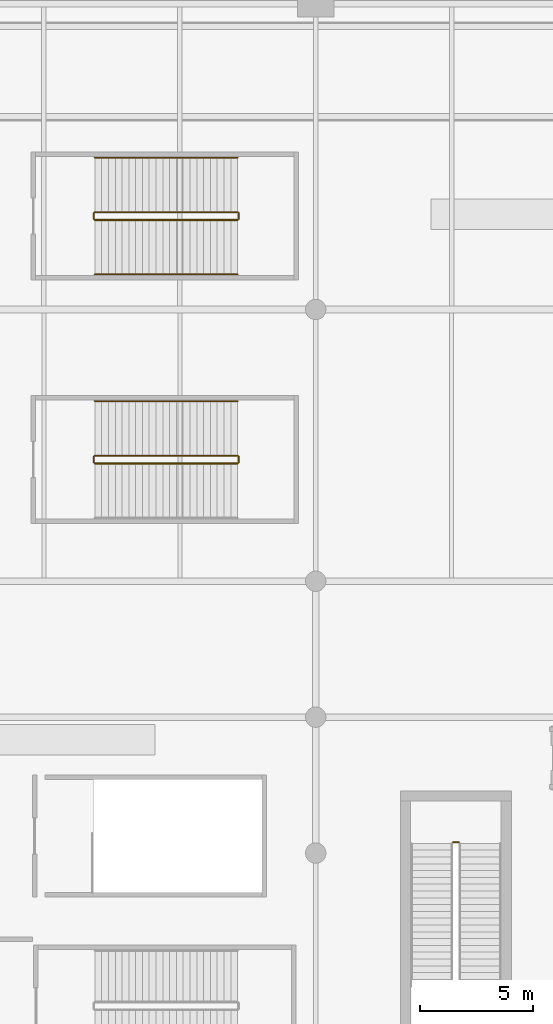
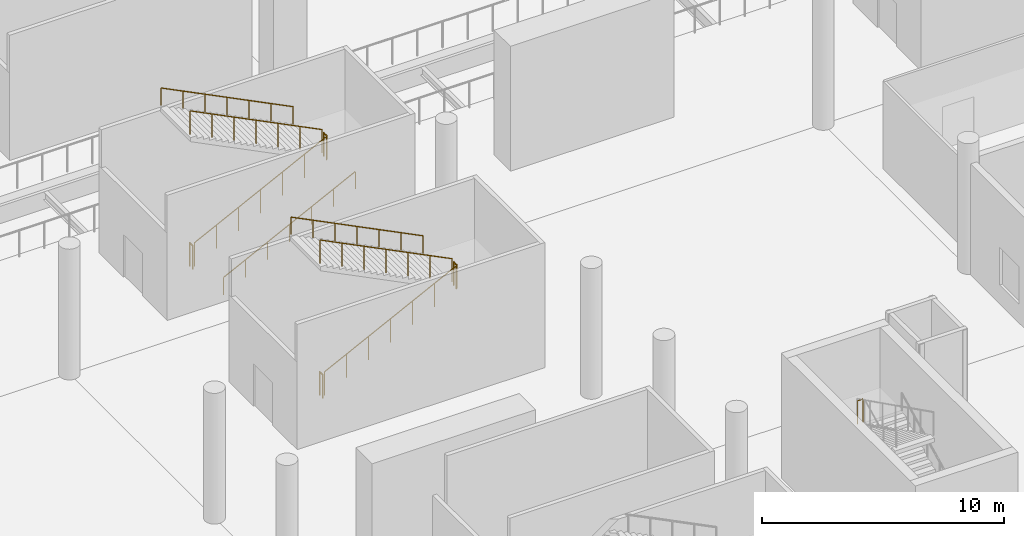
# One storey, part 41 of 65: 12 railings.
"""IFC4 building model written with IfcOpenShell, lengths in metres."""

from ifc_helpers import new_model, si_unit, direction, frame, origin, origin_2d, place, context, subcontext, project, spatial, circle, extrude, material, type_object, element, save


model = new_model("IFC4")

# Units and contexts
model_context = context("Model", 3, precision=1e-05, world=origin(), true_north=direction((0.0, 1.0)))
body_context = subcontext(model_context, "Body", "Model", "MODEL_VIEW")
ifc_project = project(units=[si_unit("LENGTHUNIT", "METRE"), si_unit("AREAUNIT", "SQUARE_METRE"), si_unit("VOLUMEUNIT", "CUBIC_METRE"), si_unit("PLANEANGLEUNIT", "RADIAN"), si_unit("MASSUNIT", "GRAM", prefix="KILO")], contexts=[model_context])

# Site, building, storey
site_placement = place(None, origin())
site = spatial("IfcSite", under=ifc_project, at=site_placement, CompositionType="ELEMENT")
building_placement = place(site_placement, origin())
building = spatial("IfcBuilding", under=site, at=building_placement, Name="Chuanluo Vaults Station", CompositionType="ELEMENT")
storey_placement = place(building_placement, origin())
storey = spatial("IfcBuildingStorey", under=building, at=storey_placement, Name="L00", CompositionType="ELEMENT", Elevation=0.0)

# Railings
ifc_material_1 = material(Name="Tempered laminated balustrade glass", Category="glass")
railing_type_1 = type_object("IfcRailingType", Name="RLG-GUARD-1200", PredefinedType="BALUSTRADE", material=ifc_material_1)
railing_1_placement = place(storey_placement, frame((78.3125, 30.47509765625, 3.300048828125)))
element("IfcRailing", 1, at=railing_1_placement, inside=storey, type_object=railing_type_1, Name="L00 ST-06 stair guard 2", PredefinedType="BALUSTRADE", context=body_context, shape_type="SweptSolid", body=[
    extrude(circle(Radius=0.02392578125, at=origin_2d()), frame((0.0, 0.0, 1.17578125), z_axis=(-1.0, 0.0, 0.0), x_axis=(0.0, -1.0, 0.0)), (0.0, 0.0, 1.0), 0.25),
    extrude(circle(Radius=0.02099609375, at=origin_2d()), origin(), (0.0, 0.0, 1.0), 1.15185546875),
    extrude(circle(Radius=0.02099609375, at=origin_2d()), frame((-0.25, 0.0, 0.0)), (0.0, 0.0, 1.0), 1.15185546875),
])
railing_2_placement = place(storey_placement, frame((62.25, 57.949951171875, 0.14990234375)))
element("IfcRailing", 2, at=railing_2_placement, inside=storey, type_object=railing_type_1, Name="L00 ST-08 stair guard 1", PredefinedType="BALUSTRADE", context=body_context, shape_type="SweptSolid", body=[
    extrude(circle(Radius=0.02392578125, at=origin_2d()), frame((0.0, 0.0, 1.17578125), z_axis=(0.894420258746, 0.0, 0.44722745974), x_axis=(0.0, 1.0, 0.0)), (0.0, 0.0, 1.0), 7.043701171875),
    extrude(circle(Radius=0.02099609375, at=origin_2d()), origin(), (0.0, 0.0, 1.0), 1.15185546875),
    extrude(circle(Radius=0.02099609375, at=origin_2d()), frame((1.050048828125, 0.0, 0.52490234375)), (0.0, 0.0, 1.0), 1.15185546875),
    extrude(circle(Radius=0.02099609375, at=origin_2d()), frame((2.10009765625, 0.0, 1.050048828125)), (0.0, 0.0, 1.0), 1.15185546875),
    extrude(circle(Radius=0.02099609375, at=origin_2d()), frame((3.14990234375, 0.0, 1.5751953125)), (0.0, 0.0, 1.0), 1.15185546875),
    extrude(circle(Radius=0.02099609375, at=origin_2d()), frame((4.199951171875, 0.0, 2.10009765625)), (0.0, 0.0, 1.0), 1.15185546875),
    extrude(circle(Radius=0.02099609375, at=origin_2d()), frame((5.25, 0.0, 2.625)), (0.0, 0.0, 1.0), 1.15185546875),
    extrude(circle(Radius=0.02099609375, at=origin_2d()), frame((6.300048828125, 0.0, 3.150146484375)), (0.0, 0.0, 1.0), 1.15185546875),
])
railing_3_placement = place(storey_placement, frame((68.60009765625, 58.0, 3.300048828125)))
element("IfcRailing", 3, at=railing_3_placement, inside=storey, type_object=railing_type_1, Name="L00 ST-08 stair guard 2", PredefinedType="BALUSTRADE", context=body_context, shape_type="SweptSolid", body=[
    extrude(circle(Radius=0.02392578125, at=origin_2d()), frame((0.0, 0.0, 1.17578125), z_axis=(0.0, 1.0, 0.0), x_axis=(-1.0, 0.0, 0.0)), (0.0, 0.0, 1.0), 0.25),
    extrude(circle(Radius=0.02099609375, at=origin_2d()), origin(), (0.0, 0.0, 1.0), 1.15185546875),
    extrude(circle(Radius=0.02099609375, at=origin_2d()), frame((0.0, 0.25, 0.0)), (0.0, 0.0, 1.0), 1.15185546875),
])
railing_4_placement = place(storey_placement, frame((68.550048828125, 58.300048828125, 3.449951171875)))
element("IfcRailing", 4, at=railing_4_placement, inside=storey, type_object=railing_type_1, Name="L00 ST-08 stair guard 3", PredefinedType="BALUSTRADE", context=body_context, shape_type="SweptSolid", body=[
    extrude(circle(Radius=0.02392578125, at=origin_2d()), frame((0.0, 0.0, 1.17578125), z_axis=(-0.894420258746, 0.0, 0.44722745974), x_axis=(0.0, -1.0, 0.0)), (0.0, 0.0, 1.0), 7.043701171875),
    extrude(circle(Radius=0.02099609375, at=origin_2d()), origin(), (0.0, 0.0, 1.0), 1.15185546875),
    extrude(circle(Radius=0.02099609375, at=origin_2d()), frame((-1.050048828125, 0.0, 0.52490234375)), (0.0, 0.0, 1.0), 1.15185546875),
    extrude(circle(Radius=0.02099609375, at=origin_2d()), frame((-2.10009765625, 0.0, 1.050048828125)), (0.0, 0.0, 1.0), 1.15185546875),
    extrude(circle(Radius=0.02099609375, at=origin_2d()), frame((-3.14990234375, 0.0, 1.5751953125)), (0.0, 0.0, 1.0), 1.15185546875),
    extrude(circle(Radius=0.02099609375, at=origin_2d()), frame((-4.199951171875, 0.0, 2.10009765625)), (0.0, 0.0, 1.0), 1.15185546875),
    extrude(circle(Radius=0.02099609375, at=origin_2d()), frame((-5.25, 0.0, 2.625)), (0.0, 0.0, 1.0), 1.15185546875),
    extrude(circle(Radius=0.02099609375, at=origin_2d()), frame((-6.300048828125, 0.0, 3.150146484375)), (0.0, 0.0, 1.0), 1.15185546875),
])
railing_5_placement = place(storey_placement, frame((62.199951171875, 58.0, 0.0)))
element("IfcRailing", 5, at=railing_5_placement, inside=storey, type_object=railing_type_1, Name="L00 ST-08 stair guard 4", PredefinedType="BALUSTRADE", context=body_context, shape_type="SweptSolid", body=[
    extrude(circle(Radius=0.02392578125, at=origin_2d()), frame((0.0, 0.0, 1.17578125), z_axis=(0.0, 1.0, 0.0), x_axis=(-1.0, 0.0, 0.0)), (0.0, 0.0, 1.0), 0.25),
    extrude(circle(Radius=0.02099609375, at=origin_2d()), origin(), (0.0, 0.0, 1.0), 1.15185546875),
    extrude(circle(Radius=0.02099609375, at=origin_2d()), frame((0.0, 0.25, 0.0)), (0.0, 0.0, 1.0), 1.15185546875),
])
railing_6_placement = place(storey_placement, frame((62.25, 47.199951171875, 0.14990234375)))
element("IfcRailing", 6, at=railing_6_placement, inside=storey, type_object=railing_type_1, Name="L00 ST-21 stair guard 1", PredefinedType="BALUSTRADE", context=body_context, shape_type="SweptSolid", body=[
    extrude(circle(Radius=0.02392578125, at=origin_2d()), frame((0.0, 0.0, 1.17578125), z_axis=(0.894420258746, 0.0, 0.44722745974), x_axis=(0.0, 1.0, 0.0)), (0.0, 0.0, 1.0), 7.043701171875),
    extrude(circle(Radius=0.02099609375, at=origin_2d()), origin(), (0.0, 0.0, 1.0), 1.15185546875),
    extrude(circle(Radius=0.02099609375, at=origin_2d()), frame((1.050048828125, 0.0, 0.52490234375)), (0.0, 0.0, 1.0), 1.15185546875),
    extrude(circle(Radius=0.02099609375, at=origin_2d()), frame((2.10009765625, 0.0, 1.050048828125)), (0.0, 0.0, 1.0), 1.15185546875),
    extrude(circle(Radius=0.02099609375, at=origin_2d()), frame((3.14990234375, 0.0, 1.5751953125)), (0.0, 0.0, 1.0), 1.15185546875),
    extrude(circle(Radius=0.02099609375, at=origin_2d()), frame((4.199951171875, 0.0, 2.10009765625)), (0.0, 0.0, 1.0), 1.15185546875),
    extrude(circle(Radius=0.02099609375, at=origin_2d()), frame((5.25, 0.0, 2.625)), (0.0, 0.0, 1.0), 1.15185546875),
    extrude(circle(Radius=0.02099609375, at=origin_2d()), frame((6.300048828125, 0.0, 3.150146484375)), (0.0, 0.0, 1.0), 1.15185546875),
])
railing_7_placement = place(storey_placement, frame((68.60009765625, 47.25, 3.300048828125)))
element("IfcRailing", 7, at=railing_7_placement, inside=storey, type_object=railing_type_1, Name="L00 ST-21 stair guard 2", PredefinedType="BALUSTRADE", context=body_context, shape_type="SweptSolid", body=[
    extrude(circle(Radius=0.02392578125, at=origin_2d()), frame((0.0, 0.0, 1.17578125), z_axis=(0.0, 1.0, 0.0), x_axis=(-1.0, 0.0, 0.0)), (0.0, 0.0, 1.0), 0.25),
    extrude(circle(Radius=0.02099609375, at=origin_2d()), origin(), (0.0, 0.0, 1.0), 1.15185546875),
    extrude(circle(Radius=0.02099609375, at=origin_2d()), frame((0.0, 0.25, 0.0)), (0.0, 0.0, 1.0), 1.15185546875),
])
railing_8_placement = place(storey_placement, frame((68.550048828125, 47.550048828125, 3.449951171875)))
element("IfcRailing", 8, at=railing_8_placement, inside=storey, type_object=railing_type_1, Name="L00 ST-21 stair guard 3", PredefinedType="BALUSTRADE", context=body_context, shape_type="SweptSolid", body=[
    extrude(circle(Radius=0.02392578125, at=origin_2d()), frame((0.0, 0.0, 1.17578125), z_axis=(-0.894420258746, 0.0, 0.44722745974), x_axis=(0.0, -1.0, 0.0)), (0.0, 0.0, 1.0), 7.043701171875),
    extrude(circle(Radius=0.02099609375, at=origin_2d()), origin(), (0.0, 0.0, 1.0), 1.15185546875),
    extrude(circle(Radius=0.02099609375, at=origin_2d()), frame((-1.050048828125, 0.0, 0.52490234375)), (0.0, 0.0, 1.0), 1.15185546875),
    extrude(circle(Radius=0.02099609375, at=origin_2d()), frame((-2.10009765625, 0.0, 1.050048828125)), (0.0, 0.0, 1.0), 1.15185546875),
    extrude(circle(Radius=0.02099609375, at=origin_2d()), frame((-3.14990234375, 0.0, 1.5751953125)), (0.0, 0.0, 1.0), 1.15185546875),
    extrude(circle(Radius=0.02099609375, at=origin_2d()), frame((-4.199951171875, 0.0, 2.10009765625)), (0.0, 0.0, 1.0), 1.15185546875),
    extrude(circle(Radius=0.02099609375, at=origin_2d()), frame((-5.25, 0.0, 2.625)), (0.0, 0.0, 1.0), 1.15185546875),
    extrude(circle(Radius=0.02099609375, at=origin_2d()), frame((-6.300048828125, 0.0, 3.150146484375)), (0.0, 0.0, 1.0), 1.15185546875),
])
railing_9_placement = place(storey_placement, frame((62.199951171875, 47.25, 0.0)))
element("IfcRailing", 9, at=railing_9_placement, inside=storey, type_object=railing_type_1, Name="L00 ST-21 stair guard 4", PredefinedType="BALUSTRADE", context=body_context, shape_type="SweptSolid", body=[
    extrude(circle(Radius=0.02392578125, at=origin_2d()), frame((0.0, 0.0, 1.17578125), z_axis=(0.0, 1.0, 0.0), x_axis=(-1.0, 0.0, 0.0)), (0.0, 0.0, 1.0), 0.25),
    extrude(circle(Radius=0.02099609375, at=origin_2d()), origin(), (0.0, 0.0, 1.0), 1.15185546875),
    extrude(circle(Radius=0.02099609375, at=origin_2d()), frame((0.0, 0.25, 0.0)), (0.0, 0.0, 1.0), 1.15185546875),
])
ifc_material_2 = material(Name="Brushed stainless steel 304", Category="steel")
railing_type_2 = type_object("IfcRailingType", Name="RLG-HAND-900", PredefinedType="HANDRAIL", material=ifc_material_2)
railing_10_placement = place(storey_placement, frame((62.25, 55.550048828125, 0.14990234375)))
element("IfcRailing", 10, at=railing_10_placement, inside=storey, type_object=railing_type_2, Name="L00 ST-08 stair handrail 1", PredefinedType="HANDRAIL", context=body_context, shape_type="SweptSolid", body=[
    extrude(circle(Radius=0.02392578125, at=origin_2d()), frame((0.0, 0.0, 0.8759765625), z_axis=(0.894420258746, 0.0, 0.44722745974), x_axis=(0.0, 1.0, 0.0)), (0.0, 0.0, 1.0), 7.043701171875),
    extrude(circle(Radius=0.02099609375, at=origin_2d()), origin(), (0.0, 0.0, 1.0), 0.851806640625),
    extrude(circle(Radius=0.02099609375, at=origin_2d()), frame((1.050048828125, 0.0, 0.52490234375)), (0.0, 0.0, 1.0), 0.851806640625),
    extrude(circle(Radius=0.02099609375, at=origin_2d()), frame((2.10009765625, 0.0, 1.050048828125)), (0.0, 0.0, 1.0), 0.851806640625),
    extrude(circle(Radius=0.02099609375, at=origin_2d()), frame((3.14990234375, 0.0, 1.5751953125)), (0.0, 0.0, 1.0), 0.851806640625),
    extrude(circle(Radius=0.02099609375, at=origin_2d()), frame((4.199951171875, 0.0, 2.10009765625)), (0.0, 0.0, 1.0), 0.851806640625),
    extrude(circle(Radius=0.02099609375, at=origin_2d()), frame((5.25, 0.0, 2.625)), (0.0, 0.0, 1.0), 0.851806640625),
    extrude(circle(Radius=0.02099609375, at=origin_2d()), frame((6.300048828125, 0.0, 3.150146484375)), (0.0, 0.0, 1.0), 0.851806640625),
])
for number, where, name in (
    (11, (68.550048828125, 60.699951171875, 3.449951171875), "L00 ST-08 stair handrail 2"),
    (12, (68.550048828125, 49.949951171875, 3.449951171875), "L00 ST-21 stair handrail 2"),
):
    element("IfcRailing", number, at=place(storey_placement, frame(where)), inside=storey, type_object=railing_type_2, Name=name, PredefinedType="HANDRAIL", context=body_context, shape_type="SweptSolid", body=[
        extrude(circle(Radius=0.02392578125, at=origin_2d()), frame((0.0, 0.0, 0.8759765625), z_axis=(-0.894420258746, 0.0, 0.44722745974), x_axis=(0.0, -1.0, 0.0)), (0.0, 0.0, 1.0), 7.043701171875),
        extrude(circle(Radius=0.02099609375, at=origin_2d()), origin(), (0.0, 0.0, 1.0), 0.851806640625),
        extrude(circle(Radius=0.02099609375, at=origin_2d()), frame((-1.050048828125, 0.0, 0.52490234375)), (0.0, 0.0, 1.0), 0.851806640625),
        extrude(circle(Radius=0.02099609375, at=origin_2d()), frame((-2.10009765625, 0.0, 1.050048828125)), (0.0, 0.0, 1.0), 0.851806640625),
        extrude(circle(Radius=0.02099609375, at=origin_2d()), frame((-3.14990234375, 0.0, 1.5751953125)), (0.0, 0.0, 1.0), 0.851806640625),
        extrude(circle(Radius=0.02099609375, at=origin_2d()), frame((-4.199951171875, 0.0, 2.10009765625)), (0.0, 0.0, 1.0), 0.851806640625),
        extrude(circle(Radius=0.02099609375, at=origin_2d()), frame((-5.25, 0.0, 2.625)), (0.0, 0.0, 1.0), 0.851806640625),
        extrude(circle(Radius=0.02099609375, at=origin_2d()), frame((-6.300048828125, 0.0, 3.150146484375)), (0.0, 0.0, 1.0), 0.851806640625),
    ])

save(model, "model.ifc")
